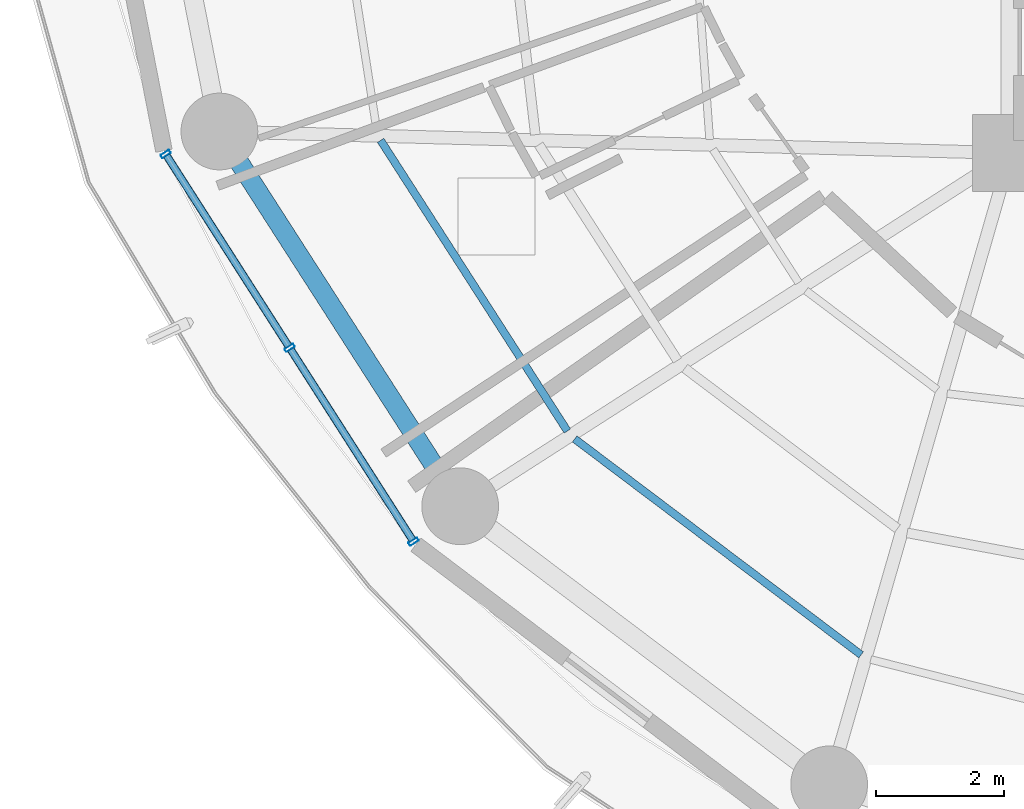
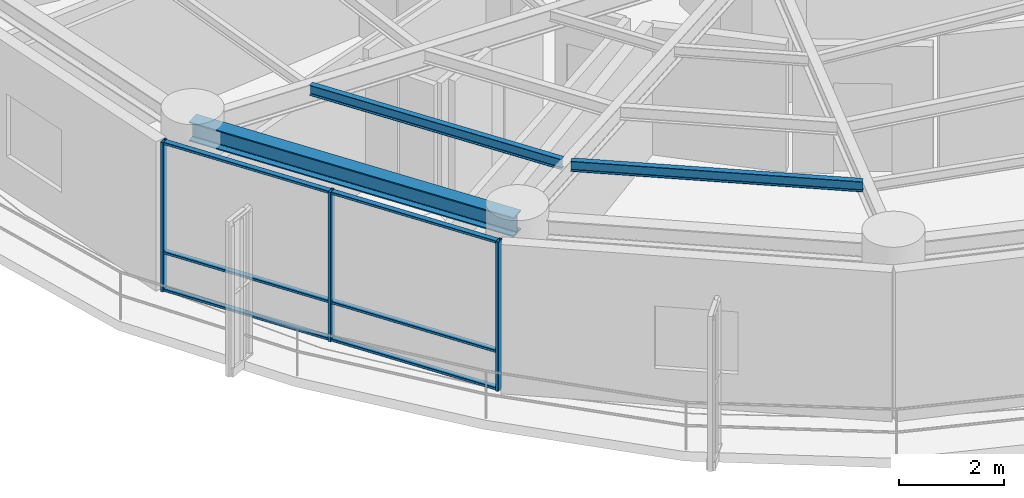
# One storey, part 2 of 27: 9 members, 3 beams, 1 element without a shape of its own.
"""IFC4 building model written with IfcOpenShell, lengths in metres."""

from ifc_helpers import new_model, si_unit, direction, frame, origin, origin_2d, place, context, subcontext, project, spatial, hollow_rectangle, i_section, extrude, material, layer, layer_set, material_profile, profile_set, type_object, element, aggregate, save


model = new_model("IFC4")

# Units and contexts
model_context = context("Model", 3, precision=1e-05, world=origin(), true_north=direction((0.0, 1.0)))
body_context = subcontext(model_context, "Body", "Model", "MODEL_VIEW")
ifc_project = project(units=[si_unit("LENGTHUNIT", "METRE"), si_unit("AREAUNIT", "SQUARE_METRE"), si_unit("VOLUMEUNIT", "CUBIC_METRE"), si_unit("PLANEANGLEUNIT", "RADIAN"), si_unit("MASSUNIT", "GRAM", prefix="KILO")], contexts=[model_context])

# Site, building, storey
site_placement = place(None, origin())
site = spatial("IfcSite", under=ifc_project, at=site_placement, CompositionType="ELEMENT")
building_placement = place(site_placement, origin())
building = spatial("IfcBuilding", under=site, at=building_placement, Name="Kelanora Arch Commons", CompositionType="ELEMENT")
storey_placement = place(building_placement, frame((0.0, 0.0, 169.35009765625)))
storey = spatial("IfcBuildingStorey", under=building, at=storey_placement, Name="L43", CompositionType="ELEMENT", Elevation=169.35009765625)

# Beams
ifc_material_1 = material(Name="Steel S355", Category="steel")
ifc_material_profile_1 = material_profile(ifc_material_1, i_section(OverallWidth=0.1201171875, OverallDepth=0.239990234375, WebThickness=0.006103515625, FlangeThickness=0.009765625, FilletRadius=0.014892578125, at=origin_2d()), Name="IPE240")
ifc_profile_set_1 = profile_set([ifc_material_profile_1], Name="Steel S355")
beam_type_1 = type_object("IfcBeamType", Name="BM-JST-02", PredefinedType="JOIST", material=ifc_profile_set_1)
beam_1_placement = place(storey_placement, frame((56.14794921875, 51.198486328125, 3.369873046875), z_axis=(0.540581678156, -0.841291536414, 0.0), x_axis=(0.841291536414, 0.540581678156, 0.0)))
element("IfcBeam", 1, at=beam_1_placement, inside=storey, type_object=beam_type_1, Name="Secondary Chord Joist BJC-20 L43", PredefinedType="JOIST", context=body_context, shape_type="SweptSolid", body=[
    extrude(i_section(OverallWidth=0.1201171875, OverallDepth=0.239990234375, WebThickness=0.006103515625, FlangeThickness=0.009765625, FilletRadius=0.014892578125, at=origin_2d()), origin(), (0.0, 0.0, 1.0), 5.4013671875),
])
beam_2_placement = place(storey_placement, frame((59.181640625, 46.531494140625, 3.369873046875), z_axis=(0.798493128577, -0.602003923256, 0.0), x_axis=(0.602003923256, 0.798493128577, 0.0)))
element("IfcBeam", 2, at=beam_2_placement, inside=storey, type_object=beam_type_1, Name="Secondary Chord Joist BJC-22 L43", PredefinedType="JOIST", context=body_context, shape_type="SweptSolid", body=[
    extrude(i_section(OverallWidth=0.1201171875, OverallDepth=0.239990234375, WebThickness=0.006103515625, FlangeThickness=0.009765625, FilletRadius=0.014892578125, at=origin_2d()), origin(), (0.0, 0.0, 1.0), 5.608642578125),
])
ifc_material_profile_2 = material_profile(ifc_material_1, i_section(OverallWidth=0.300048828125, OverallDepth=0.449951171875, WebThickness=0.013916015625, FlangeThickness=0.02587890625, FilletRadius=0.027099609375, at=origin_2d()), Name="HEB450")
ifc_profile_set_2 = profile_set([ifc_material_profile_2], Name="Steel S355")
beam_type_2 = type_object("IfcBeamType", Name="BM-SPN-Z3", PredefinedType="SPANDREL", material=ifc_profile_set_2)
beam_3_placement = place(storey_placement, frame((53.62744140625, 51.33740234375, 3.264892578125), z_axis=(0.540576852469, -0.841294637196, 0.0), x_axis=(0.841294637196, 0.540576852469, 0.0)))
element("IfcBeam", 3, at=beam_3_placement, inside=storey, type_object=beam_type_2, Name="Perimeter Spandrel Beam BS-20 L43", PredefinedType="SPANDREL", context=body_context, shape_type="SweptSolid", body=[
    extrude(i_section(OverallWidth=0.300048828125, OverallDepth=0.449951171875, WebThickness=0.013916015625, FlangeThickness=0.02587890625, FilletRadius=0.027099609375, at=origin_2d()), origin(), (0.0, 0.0, 1.0), 6.964111328125),
])

# Curtain wall, members
ifc_material_2 = material(Name="Terracotta ceramic-fritted low-E glass and aluminium", Category="masonry")
ifc_layer = layer(ifc_material_2, 0.175048828125)
ifc_layer_set = layer_set([ifc_layer], Name="Terracotta ceramic-fritted low-E glass and aluminium")
curtain_wall_type = type_object("IfcCurtainWallType", Name="CW-SYS-02", PredefinedType="NOTDEFINED", material=ifc_layer_set)
curtain_wall_placement = place(storey_placement, origin())
curtain_wall = element("IfcCurtainWall", 4, at=curtain_wall_placement, inside=storey, type_object=curtain_wall_type, Name="Unitised Curtain Wall L43-B10", PredefinedType="NOTDEFINED")
ifc_material_3 = material(Name="Powder-coated aluminium terracotta", Category="masonry")
ifc_material_profile_3 = material_profile(ifc_material_3, hollow_rectangle(XDim=0.159912109375, YDim=0.06005859375, WallThickness=0.0048828125, InnerFilletRadius=0.0048828125, OuterFilletRadius=0.010009765625, at=origin_2d()), Name="CWM160x60")
ifc_profile_set_3 = profile_set([ifc_material_profile_3], Name="Powder-coated aluminium terracotta")
member_type_1 = type_object("IfcMemberType", Name="CWM-STD", PredefinedType="MULLION", material=ifc_profile_set_3)
member_1_placement = place(storey_placement, frame((52.787109375, 50.98486328125, 0.0), z_axis=(0.0, 0.0, 1.0), x_axis=(0.842422846546, 0.538816988983, 0.0)))
member_1 = element("IfcMember", 5, at=member_1_placement, type_object=member_type_1, Name="CW-02 mullion 1", PredefinedType="MULLION", context=body_context, shape_type="SweptSolid", body=[
    extrude(hollow_rectangle(XDim=0.159912109375, YDim=0.06005859375, WallThickness=0.0048828125, InnerFilletRadius=0.0048828125, OuterFilletRadius=0.010009765625, at=origin_2d()), origin(), (0.0, 0.0, 1.0), 3.474853515625),
])
member_2_placement = place(storey_placement, frame((54.72509765625, 47.954833984375, 0.0), z_axis=(0.0, 0.0, 1.0), x_axis=(0.842422846546, 0.538816988983, 0.0)))
member_2 = element("IfcMember", 6, at=member_2_placement, type_object=member_type_1, Name="CW-02 mullion 2", PredefinedType="MULLION", context=body_context, shape_type="SweptSolid", body=[
    extrude(hollow_rectangle(XDim=0.159912109375, YDim=0.06005859375, WallThickness=0.0048828125, InnerFilletRadius=0.0048828125, OuterFilletRadius=0.010009765625, at=origin_2d()), origin(), (0.0, 0.0, 1.0), 3.474853515625),
])
member_3_placement = place(storey_placement, frame((56.6630859375, 44.925048828125, 0.0), z_axis=(0.0, 0.0, 1.0), x_axis=(0.842422846546, 0.538816988983, 0.0)))
member_3 = element("IfcMember", 7, at=member_3_placement, type_object=member_type_1, Name="CW-02 mullion 3", PredefinedType="MULLION", context=body_context, shape_type="SweptSolid", body=[
    extrude(hollow_rectangle(XDim=0.159912109375, YDim=0.06005859375, WallThickness=0.0048828125, InnerFilletRadius=0.0048828125, OuterFilletRadius=0.010009765625, at=origin_2d()), origin(), (0.0, 0.0, 1.0), 3.474853515625),
])
ifc_material_profile_4 = material_profile(ifc_material_3, hollow_rectangle(XDim=0.1201171875, YDim=0.06005859375, WallThickness=0.0048828125, InnerFilletRadius=0.0048828125, OuterFilletRadius=0.010009765625, at=origin_2d()), Name="CWT120x60")
ifc_profile_set_4 = profile_set([ifc_material_profile_4], Name="Powder-coated aluminium terracotta")
member_type_2 = type_object("IfcMemberType", Name="CWT-STD", PredefinedType="USERDEFINED", material=ifc_profile_set_4)
member_4_placement = place(storey_placement, frame((52.80322265625, 50.959716796875, 0.02978515625), z_axis=(0.53883037555, -0.842414284295, 0.0), x_axis=(0.842414284295, 0.53883037555, 0.0)))
member_4 = element("IfcMember", 8, at=member_4_placement, type_object=member_type_2, Name="CW-02 transom 1.1", ObjectType="TRANSOM", PredefinedType="USERDEFINED", context=body_context, shape_type="SweptSolid", body=[
    extrude(hollow_rectangle(XDim=0.1201171875, YDim=0.06005859375, WallThickness=0.0048828125, InnerFilletRadius=0.0048828125, OuterFilletRadius=0.010009765625, at=origin_2d()), origin(), (0.0, 0.0, 1.0), 3.536865234375),
])
member_5_placement = place(storey_placement, frame((52.80322265625, 50.959716796875, 0.89990234375), z_axis=(0.53883037555, -0.842414284295, 0.0), x_axis=(0.842414284295, 0.53883037555, 0.0)))
member_5 = element("IfcMember", 9, at=member_5_placement, type_object=member_type_2, Name="CW-02 transom 1.2", ObjectType="TRANSOM", PredefinedType="USERDEFINED", context=body_context, shape_type="SweptSolid", body=[
    extrude(hollow_rectangle(XDim=0.1201171875, YDim=0.06005859375, WallThickness=0.0048828125, InnerFilletRadius=0.0048828125, OuterFilletRadius=0.010009765625, at=origin_2d()), origin(), (0.0, 0.0, 1.0), 3.536865234375),
])
member_6_placement = place(storey_placement, frame((52.80322265625, 50.959716796875, 3.44482421875), z_axis=(0.53883037555, -0.842414284295, 0.0), x_axis=(0.842414284295, 0.53883037555, 0.0)))
member_6 = element("IfcMember", 10, at=member_6_placement, type_object=member_type_2, Name="CW-02 transom 1.3", ObjectType="TRANSOM", PredefinedType="USERDEFINED", context=body_context, shape_type="SweptSolid", body=[
    extrude(hollow_rectangle(XDim=0.1201171875, YDim=0.06005859375, WallThickness=0.0048828125, InnerFilletRadius=0.0048828125, OuterFilletRadius=0.010009765625, at=origin_2d()), origin(), (0.0, 0.0, 1.0), 3.536865234375),
])
member_7_placement = place(storey_placement, frame((54.7412109375, 47.9296875, 0.02978515625), z_axis=(0.53883037555, -0.842414284295, 0.0), x_axis=(0.842414284295, 0.53883037555, 0.0)))
member_7 = element("IfcMember", 11, at=member_7_placement, type_object=member_type_2, Name="CW-02 transom 2.1", ObjectType="TRANSOM", PredefinedType="USERDEFINED", context=body_context, shape_type="SweptSolid", body=[
    extrude(hollow_rectangle(XDim=0.1201171875, YDim=0.06005859375, WallThickness=0.0048828125, InnerFilletRadius=0.0048828125, OuterFilletRadius=0.010009765625, at=origin_2d()), origin(), (0.0, 0.0, 1.0), 3.536865234375),
])
member_8_placement = place(storey_placement, frame((54.7412109375, 47.9296875, 0.89990234375), z_axis=(0.53883037555, -0.842414284295, 0.0), x_axis=(0.842414284295, 0.53883037555, 0.0)))
member_8 = element("IfcMember", 12, at=member_8_placement, type_object=member_type_2, Name="CW-02 transom 2.2", ObjectType="TRANSOM", PredefinedType="USERDEFINED", context=body_context, shape_type="SweptSolid", body=[
    extrude(hollow_rectangle(XDim=0.1201171875, YDim=0.06005859375, WallThickness=0.0048828125, InnerFilletRadius=0.0048828125, OuterFilletRadius=0.010009765625, at=origin_2d()), origin(), (0.0, 0.0, 1.0), 3.536865234375),
])
member_9_placement = place(storey_placement, frame((54.7412109375, 47.9296875, 3.44482421875), z_axis=(0.53883037555, -0.842414284295, 0.0), x_axis=(0.842414284295, 0.53883037555, 0.0)))
member_9 = element("IfcMember", 13, at=member_9_placement, type_object=member_type_2, Name="CW-02 transom 2.3", ObjectType="TRANSOM", PredefinedType="USERDEFINED", context=body_context, shape_type="SweptSolid", body=[
    extrude(hollow_rectangle(XDim=0.1201171875, YDim=0.06005859375, WallThickness=0.0048828125, InnerFilletRadius=0.0048828125, OuterFilletRadius=0.010009765625, at=origin_2d()), origin(), (0.0, 0.0, 1.0), 3.536865234375),
])
aggregate(curtain_wall, [member_1, member_2, member_3, member_4, member_5, member_6, member_7, member_8, member_9])

save(model, "model.ifc")
